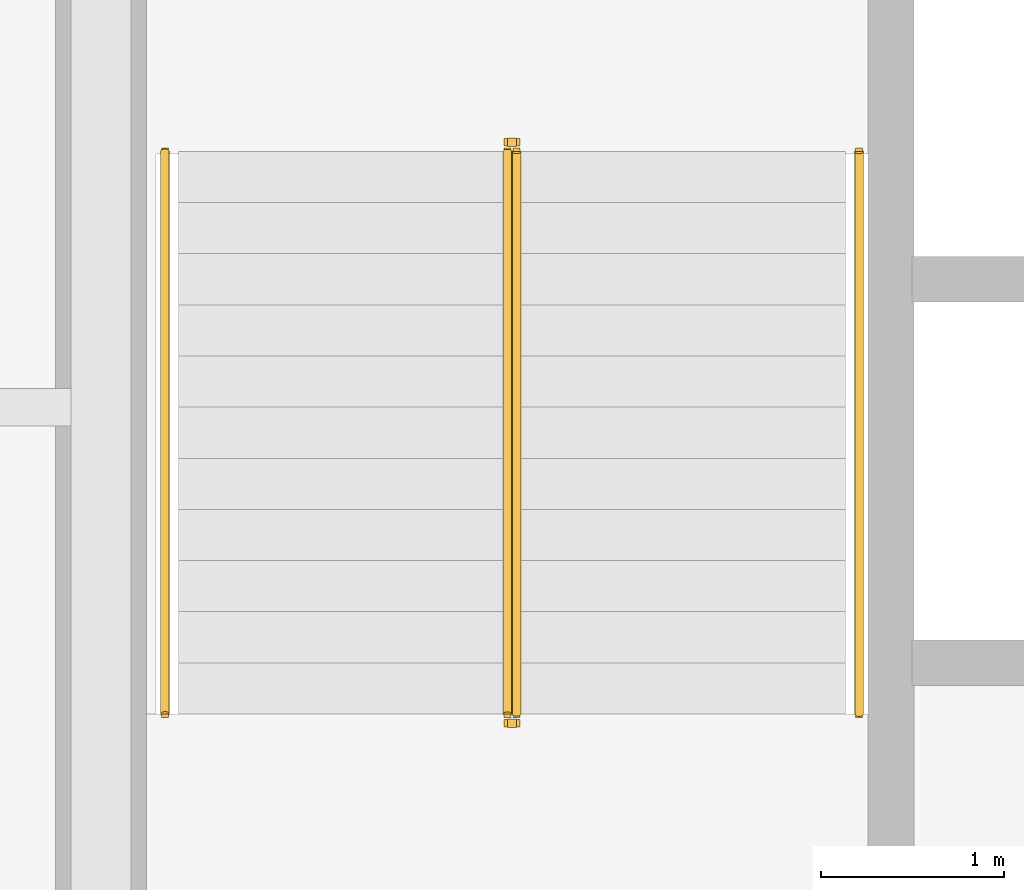
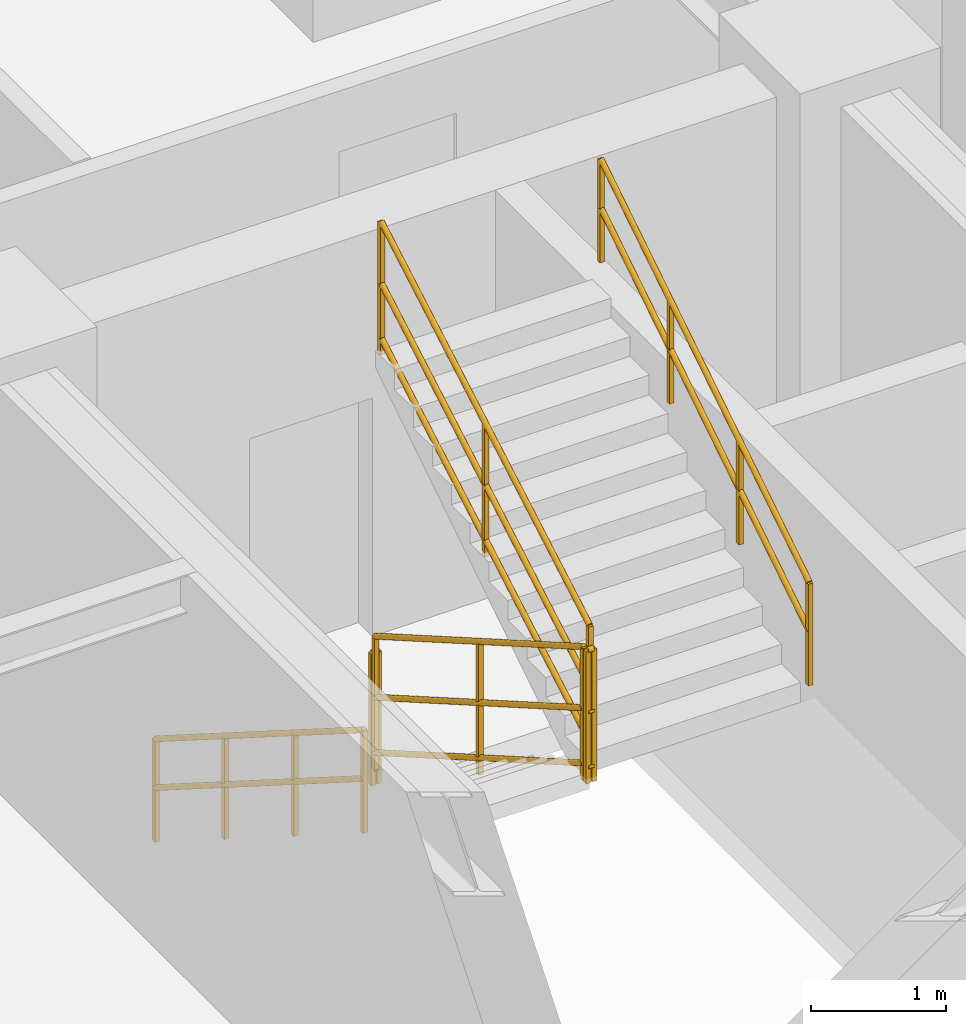
# One storey, part 11 of 11: 6 railings.
"""IFC4 building model written with IfcOpenShell, lengths in metres."""

from ifc_helpers import new_model, entity, si_unit, converted_unit, direction, frame, origin_with_axes, origin_2d_with_axis, place, context, subcontext, project, spatial, rectangle, circle, extrude, material, type_object, element, save


model = new_model("IFC4")

# Units and contexts
model_context = context("Model", 3, precision=1e-05, world=origin_with_axes(), true_north=direction((0.0, 1.0)))
body_context = subcontext(model_context, "Body", "Model", "MODEL_VIEW")
ifc_project = project(units=[si_unit("LENGTHUNIT", "METRE"), si_unit("AREAUNIT", "SQUARE_METRE"), si_unit("VOLUMEUNIT", "CUBIC_METRE"), converted_unit("PLANEANGLEUNIT", "DEGREE", entity("IfcPlaneAngleMeasure", 0.017453292519943295), si_unit("PLANEANGLEUNIT", "RADIAN"), dimensions=[0, 0, 0, 0, 0, 0, 0]), si_unit("MASSUNIT", "GRAM", prefix="KILO"), si_unit("THERMODYNAMICTEMPERATUREUNIT", "KELVIN")], contexts=[model_context])

# Site, building, storey
site_placement = place(None, origin_with_axes())
site = spatial("IfcSite", under=ifc_project, at=site_placement, CompositionType="ELEMENT")
building_placement = place(site_placement, origin_with_axes())
building = spatial("IfcBuilding", under=site, at=building_placement, Name="Varnlund Millrace Tower", CompositionType="ELEMENT")
storey_placement = place(building_placement, frame((0.0, 0.0, 104.7), z_axis=(0.0, 0.0, 1.0), x_axis=(1.0, 0.0, 0.0)))
storey = spatial("IfcBuildingStorey", under=building, at=storey_placement, Name="L25", CompositionType="ELEMENT", Elevation=104.7)

# Railings
ifc_material_1 = material(Name="Painted steel stair well balustrade guard", Category="steel")
railing_type_1 = type_object("IfcRailingType", Name="Type-StairGuard-1150", PredefinedType="GUARDRAIL", material=ifc_material_1)
railing_1_placement = place(storey_placement, frame((0.0, 0.0, -104.7), z_axis=(0.0, 0.0, 1.0), x_axis=(1.0, 0.0, 0.0)))
element("IfcRailing", 1, at=railing_1_placement, inside=storey, type_object=railing_type_1, Name="Type-StairGuard-1150", PredefinedType="GUARDRAIL", context=body_context, shape_type="SweptSolid", body=[
    extrude(circle(Radius=0.024, at=origin_2d_with_axis()), frame((13.625, 35.9, 106.027273), z_axis=(0.0, -0.866696, 0.498836), x_axis=(1.0, 0.0, 0.0)), (0.0, 0.0, 1.0), 3.553725),
    extrude(circle(Radius=0.024, at=origin_2d_with_axis()), frame((13.625, 35.9, 104.977273), z_axis=(0.0, -0.866696, 0.498836), x_axis=(1.0, 0.0, 0.0)), (0.0, 0.0, 1.0), 3.553725),
    extrude(circle(Radius=0.024, at=origin_2d_with_axis()), frame((13.625, 35.9, 105.475273), z_axis=(0.0, -0.866696, 0.498836), x_axis=(1.0, 0.0, 0.0)), (0.0, 0.0, 1.0), 3.553725),
    extrude(rectangle(XDim=0.04, YDim=0.04, at=origin_2d_with_axis()), frame((13.625, 35.9, 104.837273), z_axis=(0.0, 0.0, 1.0), x_axis=(1.0, 0.0, 0.0)), (0.0, 0.0, 1.0), 1.19),
    extrude(rectangle(XDim=0.04, YDim=0.04, at=origin_2d_with_axis()), frame((13.625, 34.36, 105.723636), z_axis=(0.0, 0.0, 1.0), x_axis=(1.0, 0.0, 0.0)), (0.0, 0.0, 1.0), 1.19),
    extrude(rectangle(XDim=0.04, YDim=0.04, at=origin_2d_with_axis()), frame((13.625, 32.82, 106.61), z_axis=(0.0, 0.0, 1.0), x_axis=(1.0, 0.0, 0.0)), (0.0, 0.0, 1.0), 1.19),
])
railing_2_placement = place(storey_placement, frame((0.0, 0.0, -104.7), z_axis=(0.0, 0.0, 1.0), x_axis=(1.0, 0.0, 0.0)))
element("IfcRailing", 2, at=railing_2_placement, inside=storey, type_object=railing_type_1, Name="Type-StairGuard-1150", PredefinedType="GUARDRAIL", context=body_context, shape_type="SweptSolid", body=[
    extrude(circle(Radius=0.024, at=origin_2d_with_axis()), frame((13.675, 32.77, 107.8), z_axis=(-1.0, 0.0, 0.0), x_axis=(0.0, -1.0, 0.0)), (0.0, 0.0, 1.0), 0.05),
    extrude(circle(Radius=0.024, at=origin_2d_with_axis()), frame((13.675, 32.77, 106.75), z_axis=(-1.0, 0.0, 0.0), x_axis=(0.0, -1.0, 0.0)), (0.0, 0.0, 1.0), 0.05),
    extrude(circle(Radius=0.024, at=origin_2d_with_axis()), frame((13.675, 32.77, 107.248), z_axis=(-1.0, 0.0, 0.0), x_axis=(0.0, -1.0, 0.0)), (0.0, 0.0, 1.0), 0.05),
    extrude(rectangle(XDim=0.04, YDim=0.04, at=origin_2d_with_axis()), frame((13.675, 32.77, 106.61), z_axis=(0.0, 0.0, 1.0), x_axis=(1.0, 0.0, 0.0)), (0.0, 0.0, 1.0), 1.19),
    extrude(rectangle(XDim=0.04, YDim=0.04, at=origin_2d_with_axis()), frame((13.625, 32.77, 106.61), z_axis=(0.0, 0.0, 1.0), x_axis=(1.0, 0.0, 0.0)), (0.0, 0.0, 1.0), 1.19),
])
railing_3_placement = place(storey_placement, frame((0.0, 0.0, -104.7), z_axis=(0.0, 0.0, 1.0), x_axis=(1.0, 0.0, 0.0)))
element("IfcRailing", 3, at=railing_3_placement, inside=storey, type_object=railing_type_1, Name="Type-StairGuard-1150", PredefinedType="GUARDRAIL", context=body_context, shape_type="SweptSolid", body=[
    extrude(circle(Radius=0.024, at=origin_2d_with_axis()), frame((13.675, 32.82, 107.977273), z_axis=(0.0, 0.866696, 0.498836), x_axis=(-1.0, 0.0, 0.0)), (0.0, 0.0, 1.0), 3.553725),
    extrude(circle(Radius=0.024, at=origin_2d_with_axis()), frame((13.675, 32.82, 106.927273), z_axis=(0.0, 0.866696, 0.498836), x_axis=(-1.0, 0.0, 0.0)), (0.0, 0.0, 1.0), 3.553725),
    extrude(circle(Radius=0.024, at=origin_2d_with_axis()), frame((13.675, 32.82, 107.425273), z_axis=(0.0, 0.866696, 0.498836), x_axis=(-1.0, 0.0, 0.0)), (0.0, 0.0, 1.0), 3.553725),
    extrude(rectangle(XDim=0.04, YDim=0.04, at=origin_2d_with_axis()), frame((13.675, 32.82, 106.787273), z_axis=(0.0, 0.0, 1.0), x_axis=(1.0, 0.0, 0.0)), (0.0, 0.0, 1.0), 1.19),
    extrude(rectangle(XDim=0.04, YDim=0.04, at=origin_2d_with_axis()), frame((13.675, 34.36, 107.673636), z_axis=(0.0, 0.0, 1.0), x_axis=(1.0, 0.0, 0.0)), (0.0, 0.0, 1.0), 1.19),
    extrude(rectangle(XDim=0.04, YDim=0.04, at=origin_2d_with_axis()), frame((13.675, 35.9, 108.56), z_axis=(0.0, 0.0, 1.0), x_axis=(1.0, 0.0, 0.0)), (0.0, 0.0, 1.0), 1.19),
])
railing_4_placement = place(storey_placement, frame((0.0, 0.0, -104.7), z_axis=(0.0, 0.0, 1.0), x_axis=(1.0, 0.0, 0.0)))
element("IfcRailing", 4, at=railing_4_placement, inside=storey, type_object=railing_type_1, Name="Type-StairGuard-1150", PredefinedType="GUARDRAIL", context=body_context, shape_type="SweptSolid", body=[
    extrude(circle(Radius=0.024, at=origin_2d_with_axis()), frame((13.675, 35.95, 105.85), z_axis=(-1.0, 0.0, 0.0), x_axis=(0.0, -1.0, 0.0)), (0.0, 0.0, 1.0), 0.05),
    extrude(circle(Radius=0.024, at=origin_2d_with_axis()), frame((13.675, 35.95, 104.8), z_axis=(-1.0, 0.0, 0.0), x_axis=(0.0, -1.0, 0.0)), (0.0, 0.0, 1.0), 0.05),
    extrude(circle(Radius=0.024, at=origin_2d_with_axis()), frame((13.675, 35.95, 105.298), z_axis=(-1.0, 0.0, 0.0), x_axis=(0.0, -1.0, 0.0)), (0.0, 0.0, 1.0), 0.05),
    extrude(rectangle(XDim=0.04, YDim=0.04, at=origin_2d_with_axis()), frame((13.675, 35.95, 104.66), z_axis=(0.0, 0.0, 1.0), x_axis=(1.0, 0.0, 0.0)), (0.0, 0.0, 1.0), 1.19),
    extrude(rectangle(XDim=0.04, YDim=0.04, at=origin_2d_with_axis()), frame((13.625, 35.95, 104.66), z_axis=(0.0, 0.0, 1.0), x_axis=(1.0, 0.0, 0.0)), (0.0, 0.0, 1.0), 1.19),
])
ifc_material_2 = material(Name="Brushed architectural bronze stair handrail", Category="aluminium")
railing_type_2 = type_object("IfcRailingType", Name="Type-StairHandrail-900", PredefinedType="HANDRAIL", material=ifc_material_2)
railing_5_placement = place(storey_placement, frame((0.0, 0.0, -104.7), z_axis=(0.0, 0.0, 1.0), x_axis=(1.0, 0.0, 0.0)))
element("IfcRailing", 5, at=railing_5_placement, inside=storey, type_object=railing_type_2, Name="Type-StairHandrail-900", PredefinedType="HANDRAIL", context=body_context, shape_type="SweptSolid", body=[
    extrude(circle(Radius=0.024, at=origin_2d_with_axis()), frame((11.75, 35.9, 105.756995), z_axis=(0.0, -0.844902, 0.534922), x_axis=(1.0, 0.0, 0.0)), (0.0, 0.0, 1.0), 3.645394),
    extrude(circle(Radius=0.024, at=origin_2d_with_axis()), frame((11.75, 35.9, 105.317134), z_axis=(0.0, -0.844902, 0.534922), x_axis=(1.0, 0.0, 0.0)), (0.0, 0.0, 1.0), 3.645394),
    extrude(rectangle(XDim=0.04, YDim=0.04, at=origin_2d_with_axis()), frame((11.75, 35.9, 104.837273), z_axis=(0.0, 0.0, 1.0), x_axis=(1.0, 0.0, 0.0)), (0.0, 0.0, 1.0), 0.919722),
    extrude(rectangle(XDim=0.04, YDim=0.04, at=origin_2d_with_axis()), frame((11.75, 34.873333, 105.487273), z_axis=(0.0, 0.0, 1.0), x_axis=(1.0, 0.0, 0.0)), (0.0, 0.0, 1.0), 0.919722),
    extrude(rectangle(XDim=0.04, YDim=0.04, at=origin_2d_with_axis()), frame((11.75, 33.846667, 106.137273), z_axis=(0.0, 0.0, 1.0), x_axis=(1.0, 0.0, 0.0)), (0.0, 0.0, 1.0), 0.919722),
    extrude(rectangle(XDim=0.04, YDim=0.04, at=origin_2d_with_axis()), frame((11.75, 32.82, 106.787273), z_axis=(0.0, 0.0, 1.0), x_axis=(1.0, 0.0, 0.0)), (0.0, 0.0, 1.0), 0.919722),
])
railing_6_placement = place(storey_placement, frame((0.0, 0.0, -104.7), z_axis=(0.0, 0.0, 1.0), x_axis=(1.0, 0.0, 0.0)))
element("IfcRailing", 6, at=railing_6_placement, inside=storey, type_object=railing_type_2, Name="Type-StairHandrail-900", PredefinedType="HANDRAIL", context=body_context, shape_type="SweptSolid", body=[
    extrude(circle(Radius=0.024, at=origin_2d_with_axis()), frame((15.55, 32.82, 107.706995), z_axis=(0.0, 0.844902, 0.534922), x_axis=(-1.0, 0.0, 0.0)), (0.0, 0.0, 1.0), 3.645394),
    extrude(circle(Radius=0.024, at=origin_2d_with_axis()), frame((15.55, 32.82, 107.267134), z_axis=(0.0, 0.844902, 0.534922), x_axis=(-1.0, 0.0, 0.0)), (0.0, 0.0, 1.0), 3.645394),
    extrude(rectangle(XDim=0.04, YDim=0.04, at=origin_2d_with_axis()), frame((15.55, 32.82, 106.787273), z_axis=(0.0, 0.0, 1.0), x_axis=(1.0, 0.0, 0.0)), (0.0, 0.0, 1.0), 0.919722),
    extrude(rectangle(XDim=0.04, YDim=0.04, at=origin_2d_with_axis()), frame((15.55, 33.846667, 107.437273), z_axis=(0.0, 0.0, 1.0), x_axis=(1.0, 0.0, 0.0)), (0.0, 0.0, 1.0), 0.919722),
    extrude(rectangle(XDim=0.04, YDim=0.04, at=origin_2d_with_axis()), frame((15.55, 34.873333, 108.087273), z_axis=(0.0, 0.0, 1.0), x_axis=(1.0, 0.0, 0.0)), (0.0, 0.0, 1.0), 0.919722),
    extrude(rectangle(XDim=0.04, YDim=0.04, at=origin_2d_with_axis()), frame((15.55, 35.9, 108.737273), z_axis=(0.0, 0.0, 1.0), x_axis=(1.0, 0.0, 0.0)), (0.0, 0.0, 1.0), 0.919722),
])

save(model, "model.ifc")
